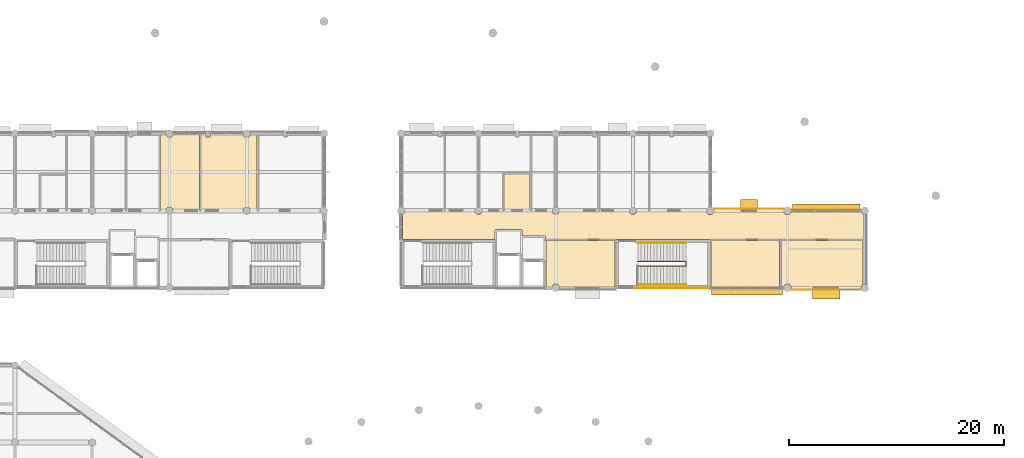
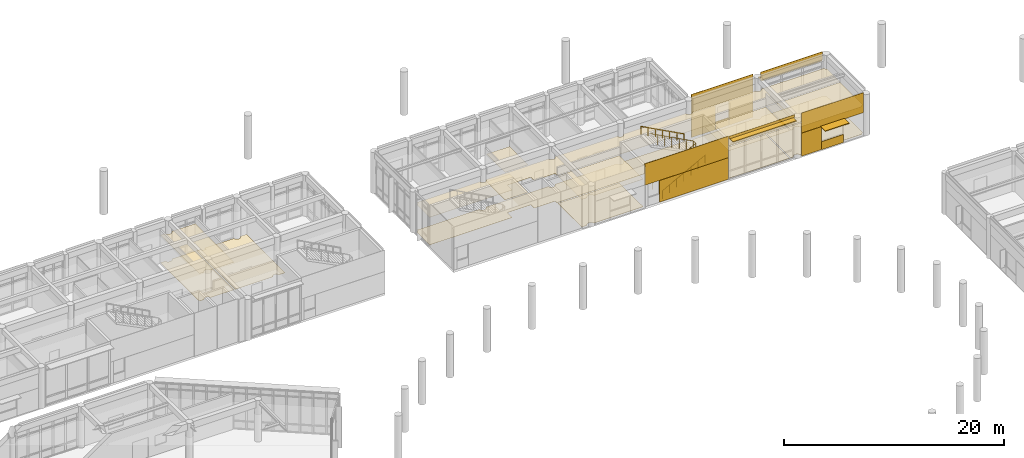
# One storey, part 85 of 92: 24 coverings, 4 shading devices, 3 railings.
"""IFC4 building model written with IfcOpenShell, lengths in metres."""

from ifc_helpers import new_model, si_unit, direction, frame, origin, origin_2d, place, context, subcontext, project, spatial, polyline, rectangle, circle, outline, extrude, material, layer, layer_set, type_object, element, save


model = new_model("IFC4")

# Units and contexts
model_context = context("Model", 3, precision=1e-05, world=origin(), true_north=direction((0.0, 1.0)))
body_context = subcontext(model_context, "Body", "Model", "MODEL_VIEW")
ifc_project = project(units=[si_unit("LENGTHUNIT", "METRE"), si_unit("AREAUNIT", "SQUARE_METRE"), si_unit("VOLUMEUNIT", "CUBIC_METRE"), si_unit("PLANEANGLEUNIT", "RADIAN"), si_unit("MASSUNIT", "GRAM", prefix="KILO")], contexts=[model_context])

# Site, building, storey
site_placement = place(None, origin())
site = spatial("IfcSite", under=ifc_project, at=site_placement, CompositionType="ELEMENT")
building_placement = place(site_placement, origin())
building = spatial("IfcBuilding", under=site, at=building_placement, Name="Namkhue Oval Health Centre", CompositionType="ELEMENT")
storey_placement = place(building_placement, frame((0.0, 0.0, 4.800048828125)))
storey = spatial("IfcBuildingStorey", under=building, at=storey_placement, Name="L01", CompositionType="ELEMENT", Elevation=4.800048828125)

# Coverings
ifc_material_1 = material(Name="Acoustic mineral-fibre cleanroom ceiling", Category="gypsum")
ifc_layer_1 = layer(ifc_material_1, 0.02001953125)
ifc_layer_set_1 = layer_set([ifc_layer_1], Name="Acoustic mineral-fibre cleanroom ceiling")
covering_type_1 = type_object("IfcCoveringType", Name="ACOUSTIC CLEANROOM CEILING 20", PredefinedType="CEILING", material=ifc_layer_set_1)
covering_1_placement = place(storey_placement, frame((0.0, 0.0, 3.050048828125)))
element("IfcCovering", 1, at=covering_1_placement, inside=storey, type_object=covering_type_1, Name="Acoustic Ceiling L01-207 Internal Medicine Clinic", PredefinedType="CEILING", context=body_context, shape_type="SweptSolid", body=[
    extrude(outline(polyline([(72.324462890625, 97.280029296875), (72.2900390625, 97.367431640625), (72.23681640625, 97.43701171875), (72.16748046875, 97.489990234375), (72.086669921875, 97.523681640625), (72.0, 97.534912109375), (71.913330078125, 97.523681640625), (71.83251953125, 97.489990234375), (71.76318359375, 97.43701171875), (71.7099609375, 97.367431640625), (71.675537109375, 97.280029296875), (71.169921875, 97.280029296875), (71.169921875, 104.31494140625), (71.651123046875, 104.31494140625), (71.688232421875, 104.219970703125), (71.745361328125, 104.1455078125), (71.820068359375, 104.088134765625), (71.90673828125, 104.05224609375), (72.0, 104.0400390625), (72.09326171875, 104.05224609375), (72.179931640625, 104.088134765625), (72.254638671875, 104.1455078125), (72.311767578125, 104.219970703125), (72.348876953125, 104.31494140625), (74.802978515625, 104.31494140625), (74.802978515625, 97.280029296875), (72.324462890625, 97.280029296875)])), origin(), (0.0, 0.0, 1.0), 0.02001953125),
])
covering_2_placement = place(storey_placement, frame((0.0, 0.0, 3.050048828125)))
element("IfcCovering", 2, at=covering_2_placement, inside=storey, type_object=covering_type_1, Name="Acoustic Ceiling L01-V3-C1 V3 Clinical Corridor", PredefinedType="CEILING", context=body_context, shape_type="SweptSolid", body=[
    extrude(outline(polyline([(107.0400390625, 94.800048828125), (107.037109375, 94.815185546875), (107.0283203125, 94.828369140625), (107.015380859375, 94.8369140625), (107.0, 94.840087890625), (104.840087890625, 94.840087890625), (104.83984375, 95.40380859375), (104.8369140625, 95.415283203125), (104.828369140625, 95.42822265625), (104.815185546875, 95.43701171875), (104.803955078125, 95.439697265625), (102.39990234375, 95.43994140625), (102.384765625, 95.43701171875), (102.37158203125, 95.42822265625), (102.363037109375, 95.415283203125), (102.360107421875, 95.39990234375), (102.360107421875, 94.5400390625), (93.72509765625, 94.5400390625), (93.72509765625, 96.865478515625), (93.780029296875, 96.88818359375), (93.8544921875, 96.9453125), (93.911865234375, 97.02001953125), (93.94775390625, 97.106689453125), (93.95458984375, 97.159912109375), (100.47021484375, 97.159912109375), (100.476318359375, 97.11328125), (100.510009765625, 97.032470703125), (100.56298828125, 96.963134765625), (100.632568359375, 96.909912109375), (100.71337890625, 96.87646484375), (100.800048828125, 96.864990234375), (100.88671875, 96.87646484375), (100.967529296875, 96.909912109375), (101.036865234375, 96.963134765625), (101.090087890625, 97.032470703125), (101.12353515625, 97.11328125), (101.129638671875, 97.159912109375), (107.67041015625, 97.159912109375), (107.676513671875, 97.11328125), (107.7099609375, 97.032470703125), (107.76318359375, 96.963134765625), (107.83251953125, 96.909912109375), (107.913330078125, 96.87646484375), (108.0, 96.864990234375), (108.086669921875, 96.87646484375), (108.16748046875, 96.909912109375), (108.23681640625, 96.963134765625), (108.2900390625, 97.032470703125), (108.323486328125, 97.11328125), (108.32958984375, 97.159912109375), (114.870361328125, 97.159912109375), (114.87646484375, 97.11328125), (114.909912109375, 97.032470703125), (114.963134765625, 96.963134765625), (115.032470703125, 96.909912109375), (115.11328125, 96.87646484375), (115.199951171875, 96.864990234375), (115.28662109375, 96.87646484375), (115.367431640625, 96.909912109375), (115.43701171875, 96.963134765625), (115.489990234375, 97.032470703125), (115.523681640625, 97.11328125), (115.52978515625, 97.159912109375), (122.04541015625, 97.159912109375), (122.05224609375, 97.106689453125), (122.088134765625, 97.02001953125), (122.1455078125, 96.9453125), (122.219970703125, 96.88818359375), (122.306884765625, 96.852294921875), (122.39990234375, 96.840087890625), (122.4931640625, 96.852294921875), (122.580078125, 96.88818359375), (122.654541015625, 96.9453125), (122.7119140625, 97.02001953125), (122.734619140625, 97.074951171875), (129.265380859375, 97.074951171875), (129.2880859375, 97.02001953125), (129.345458984375, 96.9453125), (129.419921875, 96.88818359375), (129.5068359375, 96.852294921875), (129.60009765625, 96.840087890625), (129.693115234375, 96.852294921875), (129.780029296875, 96.88818359375), (129.8544921875, 96.9453125), (129.911865234375, 97.02001953125), (129.9345703125, 97.074951171875), (136.46533203125, 97.074951171875), (136.48828125, 97.02001953125), (136.54541015625, 96.9453125), (136.6201171875, 96.88818359375), (136.675048828125, 96.865478515625), (136.675048828125, 94.5400390625), (107.0400390625, 94.5400390625), (107.0400390625, 94.800048828125)])), origin(), (0.0, 0.0, 1.0), 0.02001953125),
])
covering_3_placement = place(storey_placement, frame((0.0, 0.0, 3.050048828125)))
element("IfcCovering", 3, at=covering_3_placement, inside=storey, type_object=covering_type_1, Name="Acoustic Ceiling L01-304 Accessible WC", PredefinedType="CEILING", context=body_context, shape_type="SweptSolid", body=[
    extrude(outline(polyline([(105.6201171875, 100.6201171875), (105.6201171875, 97.280029296875), (103.199951171875, 97.280029296875), (103.199951171875, 100.6201171875), (105.6201171875, 100.6201171875)])), origin(), (0.0, 0.0, 1.0), 0.02001953125),
])
covering_4_placement = place(storey_placement, frame((0.0, 0.0, 3.050048828125)))
element("IfcCovering", 4, at=covering_4_placement, inside=storey, type_object=covering_type_1, Name="Acoustic Ceiling L01-309 Colposcopy Procedure Room", PredefinedType="CEILING", context=body_context, shape_type="SweptSolid", body=[
    extrude(outline(polyline([(108.348876953125, 90.0849609375), (108.311767578125, 90.179931640625), (108.254638671875, 90.254638671875), (108.179931640625, 90.311767578125), (108.09326171875, 90.34765625), (108.0, 90.360107421875), (107.90673828125, 90.34765625), (107.820068359375, 90.311767578125), (107.745361328125, 90.254638671875), (107.688232421875, 90.179931640625), (107.651123046875, 90.0849609375), (107.080078125, 90.0849609375), (107.080078125, 94.419921875), (113.52001953125, 94.419921875), (113.52001953125, 90.0849609375), (108.348876953125, 90.0849609375)])), origin(), (0.0, 0.0, 1.0), 0.02001953125),
])
covering_5_placement = place(storey_placement, frame((0.0, 0.0, 3.050048828125)))
element("IfcCovering", 5, at=covering_5_placement, inside=storey, type_object=covering_type_1, Name="Acoustic Ceiling L01-310 Fetal Monitoring Clinic", PredefinedType="CEILING", context=body_context, shape_type="SweptSolid", body=[
    extrude(outline(polyline([(122.47998046875, 90.0849609375), (122.47998046875, 94.419921875), (128.860107421875, 94.419921875), (128.860107421875, 90.0849609375), (122.47998046875, 90.0849609375)])), origin(), (0.0, 0.0, 1.0), 0.02001953125),
])
covering_6_placement = place(storey_placement, frame((0.0, 0.0, 3.050048828125)))
element("IfcCovering", 6, at=covering_6_placement, inside=storey, type_object=covering_type_1, Name="Acoustic Ceiling L01-311 Neurophysiology EEG Suite", PredefinedType="CEILING", context=body_context, shape_type="SweptSolid", body=[
    extrude(outline(polyline([(129.94873046875, 90.0849609375), (129.911865234375, 90.179931640625), (129.8544921875, 90.254638671875), (129.780029296875, 90.311767578125), (129.693115234375, 90.34765625), (129.60009765625, 90.360107421875), (129.5068359375, 90.34765625), (129.419921875, 90.311767578125), (129.345458984375, 90.254638671875), (129.2880859375, 90.179931640625), (129.251220703125, 90.0849609375), (128.97998046875, 90.0849609375), (128.97998046875, 94.419921875), (136.655029296875, 94.419921875), (136.655029296875, 90.326416015625), (136.6201171875, 90.311767578125), (136.54541015625, 90.254638671875), (136.48828125, 90.179931640625), (136.451171875, 90.0849609375), (129.94873046875, 90.0849609375)])), origin(), (0.0, 0.0, 1.0), 0.02001953125),
])
ifc_material_2 = material(Name="Homogeneous anti-bacterial clinical vinyl flooring", Category="plastic")
ifc_layer_2 = layer(ifc_material_2, 0.014892578125)
ifc_layer_set_2 = layer_set([ifc_layer_2], Name="Homogeneous anti-bacterial clinical vinyl flooring")
covering_type_2 = type_object("IfcCoveringType", Name="CLINICAL ANTIBACTERIAL VINYL FLOORING 15", PredefinedType="FLOORING", material=ifc_layer_set_2)
covering_7_placement = place(storey_placement, origin())
element("IfcCovering", 7, at=covering_7_placement, inside=storey, type_object=covering_type_2, Name="Clinical Flooring L01-207 Internal Medicine Clinic", PredefinedType="FLOORING", context=body_context, shape_type="SweptSolid", body=[
    extrude(outline(polyline([(72.324462890625, 97.280029296875), (72.2900390625, 97.367431640625), (72.23681640625, 97.43701171875), (72.16748046875, 97.489990234375), (72.086669921875, 97.523681640625), (72.0, 97.534912109375), (71.913330078125, 97.523681640625), (71.83251953125, 97.489990234375), (71.76318359375, 97.43701171875), (71.7099609375, 97.367431640625), (71.675537109375, 97.280029296875), (71.169921875, 97.280029296875), (71.169921875, 104.31494140625), (71.651123046875, 104.31494140625), (71.688232421875, 104.219970703125), (71.745361328125, 104.1455078125), (71.820068359375, 104.088134765625), (71.90673828125, 104.05224609375), (72.0, 104.0400390625), (72.09326171875, 104.05224609375), (72.179931640625, 104.088134765625), (72.254638671875, 104.1455078125), (72.311767578125, 104.219970703125), (72.348876953125, 104.31494140625), (74.802978515625, 104.31494140625), (74.802978515625, 97.280029296875), (72.324462890625, 97.280029296875)])), origin(), (0.0, 0.0, 1.0), 0.014892578125),
])
covering_8_placement = place(storey_placement, origin())
element("IfcCovering", 8, at=covering_8_placement, inside=storey, type_object=covering_type_2, Name="Clinical Flooring L01-208 Paediatric Assessment Suite", PredefinedType="FLOORING", context=body_context, shape_type="SweptSolid", body=[
    extrude(outline(polyline([(79.5244140625, 97.280029296875), (79.489990234375, 97.367431640625), (79.43701171875, 97.43701171875), (79.367431640625, 97.489990234375), (79.28662109375, 97.523681640625), (79.199951171875, 97.534912109375), (79.11328125, 97.523681640625), (79.032470703125, 97.489990234375), (78.963134765625, 97.43701171875), (78.909912109375, 97.367431640625), (78.87548828125, 97.280029296875), (74.943115234375, 97.280029296875), (74.943115234375, 104.31494140625), (75.4150390625, 104.31494140625), (75.4150390625, 104.090087890625), (75.784912109375, 104.090087890625), (75.784912109375, 104.31494140625), (78.851318359375, 104.31494140625), (78.88818359375, 104.219970703125), (78.9453125, 104.1455078125), (79.02001953125, 104.088134765625), (79.106689453125, 104.05224609375), (79.199951171875, 104.0400390625), (79.293212890625, 104.05224609375), (79.3798828125, 104.088134765625), (79.45458984375, 104.1455078125), (79.51171875, 104.219970703125), (79.548828125, 104.31494140625), (80.1640625, 104.31494140625), (80.1640625, 97.280029296875), (79.5244140625, 97.280029296875)])), origin(), (0.0, 0.0, 1.0), 0.014892578125),
])
covering_9_placement = place(storey_placement, origin())
element("IfcCovering", 9, at=covering_9_placement, inside=storey, type_object=covering_type_2, Name="Clinical Flooring L01-V3-C1 V3 Clinical Corridor", PredefinedType="FLOORING", context=body_context, shape_type="SweptSolid", body=[
    extrude(outline(polyline([(107.0400390625, 94.800048828125), (107.037109375, 94.815185546875), (107.0283203125, 94.828369140625), (107.015380859375, 94.8369140625), (107.0, 94.840087890625), (104.840087890625, 94.840087890625), (104.83984375, 95.40380859375), (104.8369140625, 95.415283203125), (104.828369140625, 95.42822265625), (104.815185546875, 95.43701171875), (104.803955078125, 95.439697265625), (102.39990234375, 95.43994140625), (102.384765625, 95.43701171875), (102.37158203125, 95.42822265625), (102.363037109375, 95.415283203125), (102.360107421875, 95.39990234375), (102.360107421875, 94.5400390625), (93.72509765625, 94.5400390625), (93.72509765625, 96.865478515625), (93.780029296875, 96.88818359375), (93.8544921875, 96.9453125), (93.911865234375, 97.02001953125), (93.94775390625, 97.106689453125), (93.95458984375, 97.159912109375), (100.47021484375, 97.159912109375), (100.476318359375, 97.11328125), (100.510009765625, 97.032470703125), (100.56298828125, 96.963134765625), (100.632568359375, 96.909912109375), (100.71337890625, 96.87646484375), (100.800048828125, 96.864990234375), (100.88671875, 96.87646484375), (100.967529296875, 96.909912109375), (101.036865234375, 96.963134765625), (101.090087890625, 97.032470703125), (101.12353515625, 97.11328125), (101.129638671875, 97.159912109375), (107.67041015625, 97.159912109375), (107.676513671875, 97.11328125), (107.7099609375, 97.032470703125), (107.76318359375, 96.963134765625), (107.83251953125, 96.909912109375), (107.913330078125, 96.87646484375), (108.0, 96.864990234375), (108.086669921875, 96.87646484375), (108.16748046875, 96.909912109375), (108.23681640625, 96.963134765625), (108.2900390625, 97.032470703125), (108.323486328125, 97.11328125), (108.32958984375, 97.159912109375), (114.870361328125, 97.159912109375), (114.87646484375, 97.11328125), (114.909912109375, 97.032470703125), (114.963134765625, 96.963134765625), (115.032470703125, 96.909912109375), (115.11328125, 96.87646484375), (115.199951171875, 96.864990234375), (115.28662109375, 96.87646484375), (115.367431640625, 96.909912109375), (115.43701171875, 96.963134765625), (115.489990234375, 97.032470703125), (115.523681640625, 97.11328125), (115.52978515625, 97.159912109375), (122.04541015625, 97.159912109375), (122.05224609375, 97.106689453125), (122.088134765625, 97.02001953125), (122.1455078125, 96.9453125), (122.219970703125, 96.88818359375), (122.306884765625, 96.852294921875), (122.39990234375, 96.840087890625), (122.4931640625, 96.852294921875), (122.580078125, 96.88818359375), (122.654541015625, 96.9453125), (122.7119140625, 97.02001953125), (122.734619140625, 97.074951171875), (129.265380859375, 97.074951171875), (129.2880859375, 97.02001953125), (129.345458984375, 96.9453125), (129.419921875, 96.88818359375), (129.5068359375, 96.852294921875), (129.60009765625, 96.840087890625), (129.693115234375, 96.852294921875), (129.780029296875, 96.88818359375), (129.8544921875, 96.9453125), (129.911865234375, 97.02001953125), (129.9345703125, 97.074951171875), (136.46533203125, 97.074951171875), (136.48828125, 97.02001953125), (136.54541015625, 96.9453125), (136.6201171875, 96.88818359375), (136.675048828125, 96.865478515625), (136.675048828125, 94.5400390625), (107.0400390625, 94.5400390625), (107.0400390625, 94.800048828125)])), origin(), (0.0, 0.0, 1.0), 0.014892578125),
])
covering_10_placement = place(storey_placement, origin())
element("IfcCovering", 10, at=covering_10_placement, inside=storey, type_object=covering_type_2, Name="Clinical Flooring L01-304 Accessible WC", PredefinedType="FLOORING", context=body_context, shape_type="SweptSolid", body=[
    extrude(outline(polyline([(105.6201171875, 100.6201171875), (105.6201171875, 97.280029296875), (103.199951171875, 97.280029296875), (103.199951171875, 100.6201171875), (105.6201171875, 100.6201171875)])), origin(), (0.0, 0.0, 1.0), 0.014892578125),
])
covering_11_placement = place(storey_placement, origin())
element("IfcCovering", 11, at=covering_11_placement, inside=storey, type_object=covering_type_2, Name="Clinical Flooring L01-309 Colposcopy Procedure Room", PredefinedType="FLOORING", context=body_context, shape_type="SweptSolid", body=[
    extrude(outline(polyline([(108.348876953125, 90.0849609375), (108.311767578125, 90.179931640625), (108.254638671875, 90.254638671875), (108.179931640625, 90.311767578125), (108.09326171875, 90.34765625), (108.0, 90.360107421875), (107.90673828125, 90.34765625), (107.820068359375, 90.311767578125), (107.745361328125, 90.254638671875), (107.688232421875, 90.179931640625), (107.651123046875, 90.0849609375), (107.080078125, 90.0849609375), (107.080078125, 94.419921875), (113.52001953125, 94.419921875), (113.52001953125, 90.0849609375), (108.348876953125, 90.0849609375)])), origin(), (0.0, 0.0, 1.0), 0.014892578125),
])
covering_12_placement = place(storey_placement, origin())
element("IfcCovering", 12, at=covering_12_placement, inside=storey, type_object=covering_type_2, Name="Clinical Flooring L01-310 Fetal Monitoring Clinic", PredefinedType="FLOORING", context=body_context, shape_type="SweptSolid", body=[
    extrude(outline(polyline([(122.47998046875, 90.0849609375), (122.47998046875, 94.419921875), (128.860107421875, 94.419921875), (128.860107421875, 90.0849609375), (122.47998046875, 90.0849609375)])), origin(), (0.0, 0.0, 1.0), 0.014892578125),
])
covering_13_placement = place(storey_placement, origin())
element("IfcCovering", 13, at=covering_13_placement, inside=storey, type_object=covering_type_2, Name="Clinical Flooring L01-311 Neurophysiology EEG Suite", PredefinedType="FLOORING", context=body_context, shape_type="SweptSolid", body=[
    extrude(outline(polyline([(129.94873046875, 90.0849609375), (129.911865234375, 90.179931640625), (129.8544921875, 90.254638671875), (129.780029296875, 90.311767578125), (129.693115234375, 90.34765625), (129.60009765625, 90.360107421875), (129.5068359375, 90.34765625), (129.419921875, 90.311767578125), (129.345458984375, 90.254638671875), (129.2880859375, 90.179931640625), (129.251220703125, 90.0849609375), (128.97998046875, 90.0849609375), (128.97998046875, 94.419921875), (136.655029296875, 94.419921875), (136.655029296875, 90.326416015625), (136.6201171875, 90.311767578125), (136.54541015625, 90.254638671875), (136.48828125, 90.179931640625), (136.451171875, 90.0849609375), (129.94873046875, 90.0849609375)])), origin(), (0.0, 0.0, 1.0), 0.014892578125),
])

# Railings
ifc_material_3 = material(Name="Brushed stainless steel 316L balustrade with laminated glass infill", Category="steel")
railing_type_1 = type_object("IfcRailingType", Name="INTERIOR BALUSTRADE GUARD 1150", PredefinedType="BALUSTRADE", material=ifc_material_3)
railing_1_placement = place(storey_placement, frame((115.64990234375, 92.0400390625, 0.0)))
element("IfcRailing", 14, at=railing_1_placement, inside=storey, type_object=railing_type_1, Name="Stair ST-06 L01 Inner Well Guard", PredefinedType="BALUSTRADE", context=body_context, shape_type="SweptSolid", body=[
    extrude(circle(Radius=0.02392578125, at=origin_2d()), frame((0.0, 0.0, 1.1259765625), z_axis=(0.882360891967, 0.0, 0.470573327259), x_axis=(0.0, 1.0, 0.0)), (0.0, 0.0, 1.0), 5.099853515625),
    extrude(circle(Radius=0.02392578125, at=origin_2d()), frame((4.5, 0.0, 3.52587890625), z_axis=(0.0, 1.0, 0.0), x_axis=(-1.0, 0.0, 0.0)), (0.0, 0.0, 1.0), 0.419921875),
    extrude(circle(Radius=0.02392578125, at=origin_2d()), frame((4.5, 0.419921875, 3.52587890625), z_axis=(-0.882341014787, 0.0, 0.470610596591), x_axis=(0.0, -1.0, 0.0)), (0.0, 0.0, 1.0), 5.10009765625),
    extrude(circle(Radius=0.02099609375, at=origin_2d()), origin(), (0.0, 0.0, 1.0), 1.101806640625),
    extrude(circle(Radius=0.02099609375, at=origin_2d()), frame((0.75, 0.0, 0.39990234375)), (0.0, 0.0, 1.0), 1.101806640625),
    extrude(circle(Radius=0.02099609375, at=origin_2d()), frame((1.5, 0.0, 0.800048828125)), (0.0, 0.0, 1.0), 1.101806640625),
    extrude(circle(Radius=0.02099609375, at=origin_2d()), frame((2.25, 0.0, 1.199951171875)), (0.0, 0.0, 1.0), 1.101806640625),
    extrude(circle(Radius=0.02099609375, at=origin_2d()), frame((3.0, 0.0, 1.599853515625)), (0.0, 0.0, 1.0), 1.101806640625),
    extrude(circle(Radius=0.02099609375, at=origin_2d()), frame((3.75, 0.0, 2.0)), (0.0, 0.0, 1.0), 1.101806640625),
    extrude(circle(Radius=0.02099609375, at=origin_2d()), frame((4.5, 0.0, 2.39990234375)), (0.0, 0.0, 1.0), 1.101806640625),
    extrude(circle(Radius=0.02099609375, at=origin_2d()), frame((4.5, 0.419921875, 2.39990234375)), (0.0, 0.0, 1.0), 1.101806640625),
    extrude(circle(Radius=0.02099609375, at=origin_2d()), frame((3.75, 0.419921875, 2.7998046875)), (0.0, 0.0, 1.0), 1.101806640625),
    extrude(circle(Radius=0.02099609375, at=origin_2d()), frame((3.0, 0.419921875, 3.199951171875)), (0.0, 0.0, 1.0), 1.101806640625),
    extrude(circle(Radius=0.02099609375, at=origin_2d()), frame((2.25, 0.419921875, 3.60009765625)), (0.0, 0.0, 1.0), 1.101806640625),
    extrude(circle(Radius=0.02099609375, at=origin_2d()), frame((1.5, 0.419921875, 4.0)), (0.0, 0.0, 1.0), 1.101806640625),
    extrude(circle(Radius=0.02099609375, at=origin_2d()), frame((0.75, 0.419921875, 4.39990234375)), (0.0, 0.0, 1.0), 1.101806640625),
    extrude(circle(Radius=0.02099609375, at=origin_2d()), frame((0.0, 0.419921875, 4.800048828125)), (0.0, 0.0, 1.0), 1.101806640625),
])
ifc_material_4 = material(Name="Brushed stainless steel 304 tubular handrail", Category="steel")
railing_type_2 = type_object("IfcRailingType", Name="INTERIOR STAIR HANDRAIL 900", PredefinedType="HANDRAIL", material=ifc_material_4)
railing_2_placement = place(storey_placement, frame((115.64990234375, 90.320068359375, 0.0)))
element("IfcRailing", 15, at=railing_2_placement, inside=storey, type_object=railing_type_2, Name="Stair ST-06 L01 Flight 1 Handrail", PredefinedType="HANDRAIL", context=body_context, shape_type="SweptSolid", body=[
    extrude(circle(Radius=0.02392578125, at=origin_2d()), frame((0.0, 0.0, 0.8759765625), z_axis=(0.882360891967, 0.0, 0.470573327259), x_axis=(0.0, 1.0, 0.0)), (0.0, 0.0, 1.0), 5.099853515625),
    extrude(circle(Radius=0.02099609375, at=origin_2d()), origin(), (0.0, 0.0, 1.0), 0.851806640625),
    extrude(circle(Radius=0.02099609375, at=origin_2d()), frame((0.75, 0.0, 0.39990234375)), (0.0, 0.0, 1.0), 0.851806640625),
    extrude(circle(Radius=0.02099609375, at=origin_2d()), frame((1.5, 0.0, 0.800048828125)), (0.0, 0.0, 1.0), 0.851806640625),
    extrude(circle(Radius=0.02099609375, at=origin_2d()), frame((2.25, 0.0, 1.199951171875)), (0.0, 0.0, 1.0), 0.851806640625),
    extrude(circle(Radius=0.02099609375, at=origin_2d()), frame((3.0, 0.0, 1.599853515625)), (0.0, 0.0, 1.0), 0.851806640625),
    extrude(circle(Radius=0.02099609375, at=origin_2d()), frame((3.75, 0.0, 2.0)), (0.0, 0.0, 1.0), 0.851806640625),
    extrude(circle(Radius=0.02099609375, at=origin_2d()), frame((4.5, 0.0, 2.39990234375)), (0.0, 0.0, 1.0), 0.851806640625),
])
railing_3_placement = place(storey_placement, frame((120.14990234375, 94.179931640625, 2.39990234375)))
element("IfcRailing", 16, at=railing_3_placement, inside=storey, type_object=railing_type_2, Name="Stair ST-06 L01 Flight 2 Handrail", PredefinedType="HANDRAIL", context=body_context, shape_type="SweptSolid", body=[
    extrude(circle(Radius=0.02392578125, at=origin_2d()), frame((0.0, 0.0, 0.8759765625), z_axis=(-0.882341014787, 0.0, 0.470610596591), x_axis=(0.0, -1.0, 0.0)), (0.0, 0.0, 1.0), 5.10009765625),
    extrude(circle(Radius=0.02099609375, at=origin_2d()), origin(), (0.0, 0.0, 1.0), 0.851806640625),
    extrude(circle(Radius=0.02099609375, at=origin_2d()), frame((-0.75, 0.0, 0.39990234375)), (0.0, 0.0, 1.0), 0.851806640625),
    extrude(circle(Radius=0.02099609375, at=origin_2d()), frame((-1.5, 0.0, 0.800048828125)), (0.0, 0.0, 1.0), 0.851806640625),
    extrude(circle(Radius=0.02099609375, at=origin_2d()), frame((-2.25, 0.0, 1.2001953125)), (0.0, 0.0, 1.0), 0.851806640625),
    extrude(circle(Radius=0.02099609375, at=origin_2d()), frame((-3.0, 0.0, 1.60009765625)), (0.0, 0.0, 1.0), 0.851806640625),
    extrude(circle(Radius=0.02099609375, at=origin_2d()), frame((-3.75, 0.0, 2.0)), (0.0, 0.0, 1.0), 0.851806640625),
    extrude(circle(Radius=0.02099609375, at=origin_2d()), frame((-4.5, 0.0, 2.400146484375)), (0.0, 0.0, 1.0), 0.851806640625),
])

# Shading devices
ifc_material_5 = material(Name="Anodised aluminium EN AW-6063 T6", Category="aluminium")
ifc_layer_3 = layer(ifc_material_5, 0.06005859375)
ifc_layer_set_3 = layer_set([ifc_layer_3], Name="Anodised aluminium EN AW-6063 T6")
shading_device_type_1 = type_object("IfcShadingDeviceType", Name="MONSOON SUN LOUVRE 900", PredefinedType="JALOUSIE", material=ifc_layer_set_3)
shading_device_1_placement = place(storey_placement, frame((133.199951171875, 89.405029296875, 2.579833984375), z_axis=(0.0, 0.0, 1.0), x_axis=(1.0, 0.0, 0.0)))
element("IfcShadingDevice", 17, at=shading_device_1_placement, inside=storey, type_object=shading_device_type_1, Name="Volume V3 L01 Window Monsoon Louvre 132", PredefinedType="JALOUSIE", context=body_context, shape_type="SweptSolid", body=[
    extrude(rectangle(XDim=2.5400390625, YDim=0.89990234375, at=origin_2d()), origin(), (0.0, 0.0, 1.0), 0.06005859375),
])
shading_device_2_placement = place(storey_placement, frame((126.0, 97.804931640625, 2.699951171875), z_axis=(0.0, 0.0, 1.0), x_axis=(-1.0, 0.0, 0.0)))
element("IfcShadingDevice", 18, at=shading_device_2_placement, inside=storey, type_object=shading_device_type_1, Name="Volume V3 L01 Window Monsoon Louvre 134", PredefinedType="JALOUSIE", context=body_context, shape_type="SweptSolid", body=[
    extrude(rectangle(XDim=1.590087890625, YDim=0.89990234375, at=origin_2d()), origin(), (0.0, 0.0, 1.0), 0.06005859375),
])
ifc_layer_4 = layer(ifc_material_5, 0.050048828125)
ifc_layer_set_4 = layer_set([ifc_layer_4], Name="Anodised aluminium EN AW-6063 T6")
shading_device_type_2 = type_object("IfcShadingDeviceType", Name="STORM SHUTTER LOUVRE 650", PredefinedType="SHUTTER", material=ifc_layer_set_4)
shading_device_3_placement = place(storey_placement, frame((125.82861328125, 89.675048828125, 4.4599609375), z_axis=(0.0, 0.0, 1.0), x_axis=(1.0, 0.0, 0.0)))
element("IfcShadingDevice", 19, at=shading_device_3_placement, inside=storey, type_object=shading_device_type_2, Name="Volume V3 L01 Horizontal Monsoon Sun Louvre 131", PredefinedType="SHUTTER", context=body_context, shape_type="SweptSolid", body=[
    extrude(rectangle(XDim=6.653076171875, YDim=0.64990234375, at=origin_2d()), origin(), (0.0, 0.0, 1.0), 0.06005859375),
])
shading_device_4_placement = place(storey_placement, frame((133.199951171875, 97.52490234375, 3.842041015625), z_axis=(0.0, 0.0, 1.0), x_axis=(-1.0, 0.0, 0.0)))
element("IfcShadingDevice", 20, at=shading_device_4_placement, inside=storey, type_object=shading_device_type_2, Name="Volume V3 L01 Horizontal Monsoon Sun Louvre 133", PredefinedType="SHUTTER", context=body_context, shape_type="SweptSolid", body=[
    extrude(rectangle(XDim=6.31005859375, YDim=0.64990234375, at=origin_2d()), origin(), (0.0, 0.0, 1.0), 0.06005859375),
])

# Coverings
ifc_material_6 = material(Name="White glass-fibre reinforced concrete GRC rainscreen cladding", Category="concrete")
ifc_layer_5 = layer(ifc_material_6, 0.02490234375)
ifc_layer_set_5 = layer_set([ifc_layer_5], Name="White glass-fibre reinforced concrete GRC rainscreen cladding")
covering_type_3 = type_object("IfcCoveringType", Name="WHITE GRC RAINSCREEN CLADDING 25", PredefinedType="CLADDING", material=ifc_layer_set_5)
covering_14_placement = place(storey_placement, frame((125.82861328125, 89.91162109375, 4.51513671875), z_axis=(0.0, 0.0, 1.0), x_axis=(1.0, 0.0, 0.0)))
element("IfcCovering", 21, at=covering_14_placement, inside=storey, type_object=covering_type_3, Name="Volume V3 L01 Curtain Wall Spandrel Cladding 101", PredefinedType="CLADDING", context=body_context, shape_type="SweptSolid", body=[
    extrude(rectangle(XDim=6.843017578125, YDim=0.02490234375, at=origin_2d()), origin(), (0.0, 0.0, 1.0), 0.284912109375),
])
covering_15_placement = place(storey_placement, frame((133.199951171875, 89.8330078125, 2.57470703125), z_axis=(0.0, 0.0, 1.0), x_axis=(1.0, 0.0, 0.0)))
element("IfcCovering", 22, at=covering_15_placement, inside=storey, type_object=covering_type_3, Name="Volume V3 L01 Facade 62 White GRC Cladding 1", PredefinedType="CLADDING", context=body_context, shape_type="SweptSolid", body=[
    extrude(rectangle(XDim=6.469970703125, YDim=0.02490234375, at=origin_2d()), origin(), (0.0, 0.0, 1.0), 2.215087890625),
])
covering_16_placement = place(storey_placement, frame((131.0, 89.8330078125, 0.010009765625), z_axis=(0.0, 0.0, 1.0), x_axis=(1.0, 0.0, 0.0)))
element("IfcCovering", 23, at=covering_16_placement, inside=storey, type_object=covering_type_3, Name="Volume V3 L01 Facade 62 White GRC Cladding 2", PredefinedType="CLADDING", context=body_context, shape_type="SweptSolid", body=[
    extrude(rectangle(XDim=2.070068359375, YDim=0.02490234375, at=origin_2d()), origin(), (0.0, 0.0, 1.0), 2.56005859375),
])
covering_17_placement = place(storey_placement, frame((133.199951171875, 89.8330078125, 0.010009765625), z_axis=(0.0, 0.0, 1.0), x_axis=(1.0, 0.0, 0.0)))
element("IfcCovering", 24, at=covering_17_placement, inside=storey, type_object=covering_type_3, Name="Volume V3 L01 Facade 62 White GRC Cladding 3", PredefinedType="CLADDING", context=body_context, shape_type="SweptSolid", body=[
    extrude(rectangle(XDim=2.320068359375, YDim=0.02490234375, at=origin_2d()), origin(), (0.0, 0.0, 1.0), 0.875),
])
covering_18_placement = place(storey_placement, frame((133.199951171875, 97.28857421875, 3.89697265625), z_axis=(0.0, 0.0, 1.0), x_axis=(-1.0, 0.0, 0.0)))
element("IfcCovering", 25, at=covering_18_placement, inside=storey, type_object=covering_type_3, Name="Volume V3 L01 Curtain Wall Spandrel Cladding 102", PredefinedType="CLADDING", context=body_context, shape_type="SweptSolid", body=[
    extrude(rectangle(XDim=6.5, YDim=0.02490234375, at=origin_2d()), origin(), (0.0, 0.0, 1.0), 0.903076171875),
])
covering_19_placement = place(storey_placement, frame((126.0, 97.376953125, 2.69482421875), z_axis=(0.0, 0.0, 1.0), x_axis=(-1.0, 0.0, 0.0)))
element("IfcCovering", 26, at=covering_19_placement, inside=storey, type_object=covering_type_3, Name="Volume V3 L01 Facade 64 White GRC Cladding 1", PredefinedType="CLADDING", context=body_context, shape_type="SweptSolid", body=[
    extrude(rectangle(XDim=6.469970703125, YDim=0.02490234375, at=origin_2d()), origin(), (0.0, 0.0, 1.0), 2.094970703125),
])
covering_20_placement = place(storey_placement, frame((127.96240234375, 97.376953125, 0.009765625), z_axis=(0.0, 0.0, 1.0), x_axis=(-1.0, 0.0, 0.0)))
element("IfcCovering", 27, at=covering_20_placement, inside=storey, type_object=covering_type_3, Name="Volume V3 L01 Facade 64 White GRC Cladding 2", PredefinedType="CLADDING", context=body_context, shape_type="SweptSolid", body=[
    extrude(rectangle(XDim=2.544921875, YDim=0.02490234375, at=origin_2d()), origin(), (0.0, 0.0, 1.0), 2.679931640625),
])
covering_21_placement = place(storey_placement, frame((126.0, 97.376953125, 0.010009765625), z_axis=(0.0, 0.0, 1.0), x_axis=(-1.0, 0.0, 0.0)))
element("IfcCovering", 28, at=covering_21_placement, inside=storey, type_object=covering_type_3, Name="Volume V3 L01 Facade 64 White GRC Cladding 3", PredefinedType="CLADDING", context=body_context, shape_type="SweptSolid", body=[
    extrude(rectangle(XDim=1.3701171875, YDim=0.02490234375, at=origin_2d()), origin(), (0.0, 0.0, 1.0), 0.875),
])
covering_22_placement = place(storey_placement, frame((124.03759765625, 97.376953125, 0.009765625), z_axis=(0.0, 0.0, 1.0), x_axis=(-1.0, 0.0, 0.0)))
element("IfcCovering", 29, at=covering_22_placement, inside=storey, type_object=covering_type_3, Name="Volume V3 L01 Facade 64 White GRC Cladding 4", PredefinedType="CLADDING", context=body_context, shape_type="SweptSolid", body=[
    extrude(rectangle(XDim=2.544921875, YDim=0.02490234375, at=origin_2d()), origin(), (0.0, 0.0, 1.0), 2.679931640625),
])
covering_23_placement = place(storey_placement, frame((118.0, 89.988037109375, 2.4150390625), z_axis=(0.0, 0.0, 1.0), x_axis=(1.0, 0.0, 0.0)))
element("IfcCovering", 30, at=covering_23_placement, inside=storey, type_object=covering_type_3, Name="Core SC-06 L01 Core S White GRC Cladding 1", PredefinedType="CLADDING", context=body_context, shape_type="SweptSolid", body=[
    extrude(rectangle(XDim=8.760009765625, YDim=0.02490234375, at=origin_2d()), origin(), (0.0, 0.0, 1.0), 2.375),
])
covering_24_placement = place(storey_placement, frame((118.762451171875, 89.988037109375, 0.010009765625), z_axis=(0.0, 0.0, 1.0), x_axis=(1.0, 0.0, 0.0)))
element("IfcCovering", 31, at=covering_24_placement, inside=storey, type_object=covering_type_3, Name="Core SC-06 L01 Core S White GRC Cladding 4", PredefinedType="CLADDING", context=body_context, shape_type="SweptSolid", body=[
    extrude(rectangle(XDim=7.235107421875, YDim=0.02490234375, at=origin_2d()), origin(), (0.0, 0.0, 1.0), 2.39990234375),
])

save(model, "model.ifc")
